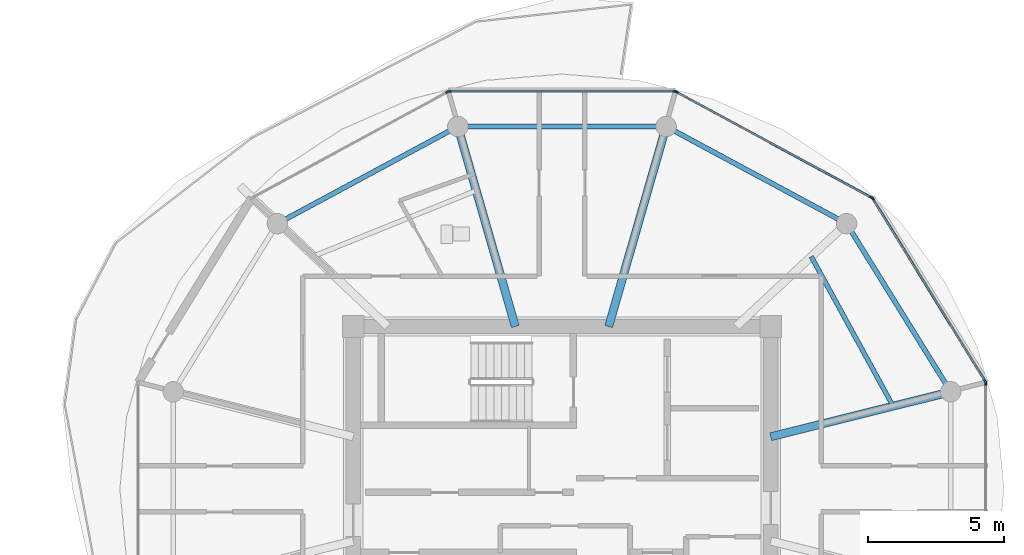
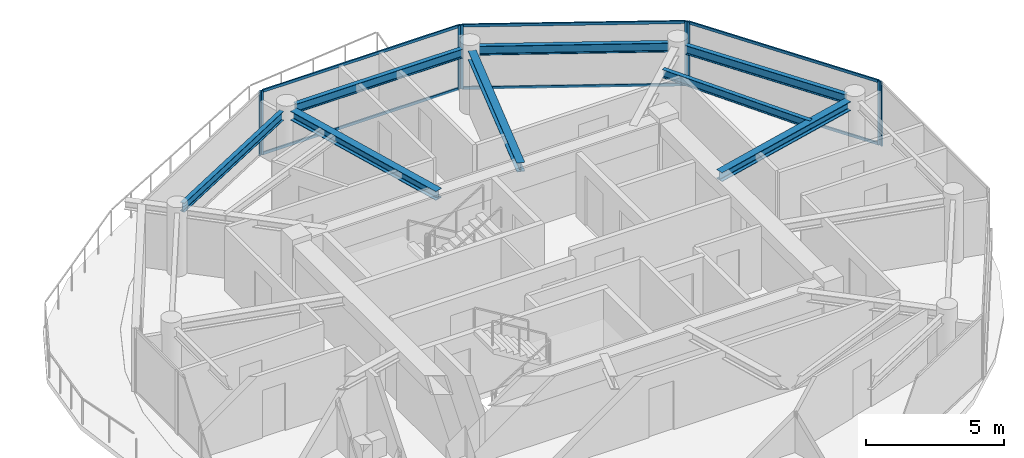
# One storey, part 7 of 19: 14 members, 8 beams, 5 elements without a shape of their own.
"""IFC4 building model written with IfcOpenShell, lengths in metres."""

import ifcopenshell
import ifcopenshell.guid

model = None  # the IFC model being written
_history = None  # IfcOwnerHistory: only IFC2X3 demands one
_inside = {}  # id of a spatial element -> (the spatial element, [elements in it])
_under = {}  # id of a project, library or spatial element -> (it, [spatial elements below it])
_declared = {}  # id of a project -> (the project, [libraries it declares])
_typed = {}  # id of a type object -> (the type object, [elements of that type])
_made_of = {}  # id of a material, layer set ... -> (it, [elements and type objects made of it])


def new_model(schema):
    """Start an empty IFC model of exactly this schema.

    Asked for "IFC4X3", IfcOpenShell would pick the latest addendum, in which some entities
    have other attributes; the version numbers below select the first issue.
    IFC2X3 requires an IfcOwnerHistory on every rooted entity: one is made here for all.
    """
    global model, _history
    if schema == "IFC4X3":
        model = ifcopenshell.file(schema_version=(4, 3, 0, 0))
    else:
        model = ifcopenshell.file(schema=schema)
    _inside.clear()
    _under.clear()
    _declared.clear()
    _typed.clear()
    _made_of.clear()
    _history = None
    if model.schema == "IFC2X3":
        org = make("IfcOrganization", Name="unknown")
        user = make(
            "IfcPersonAndOrganization",
            ThePerson=make("IfcPerson", FamilyName="unknown"),
            TheOrganization=org,
        )
        app = make(
            "IfcApplication",
            ApplicationDeveloper=org,
            Version="unknown",
            ApplicationFullName="unknown",
            ApplicationIdentifier="unknown",
        )
        _history = make(
            "IfcOwnerHistory",
            OwningUser=user,
            OwningApplication=app,
            ChangeAction="ADDED",
            CreationDate=0,
        )
    return model


def make(cls, **values):
    """One entity of the class cls with the attributes given. An attribute that is None is left unset."""
    return model.create_entity(
        cls, **{name: value for name, value in values.items() if value is not None}
    )


def rooted(cls, **values):
    """An entity with a GlobalId (a new one), such as an element, a storey or a relation."""
    return make(cls, GlobalId=ifcopenshell.guid.new(), OwnerHistory=_history, **values)


def si_unit(unit_type, name, prefix=None):
    """IfcSIUnit, for example si_unit("LENGTHUNIT", "METRE", prefix="MILLI")."""
    return make("IfcSIUnit", UnitType=unit_type, Prefix=prefix, Name=name)


def assignment(units):
    """IfcUnitAssignment: the units of a project."""
    return None if units is None else make("IfcUnitAssignment", Units=units)


def point(xyz):
    """IfcCartesianPoint."""
    return None if xyz is None else make("IfcCartesianPoint", Coordinates=xyz)


def direction(xyz):
    """IfcDirection."""
    return None if xyz is None else make("IfcDirection", DirectionRatios=xyz)


def frame(location, z_axis=None, x_axis=None):
    """IfcAxis2Placement3D, a coordinate frame: its origin and axes. An axis left out is left unset."""
    return make(
        "IfcAxis2Placement3D",
        Location=point(location),
        Axis=direction(z_axis),
        RefDirection=direction(x_axis),
    )


def frame_2d(location, x_axis=None):
    """IfcAxis2Placement2D, a coordinate frame in the plane: its origin and x axis."""
    return make(
        "IfcAxis2Placement2D", Location=point(location), RefDirection=direction(x_axis)
    )


def origin():
    """The frame at (0, 0, 0) with its axes left unset."""
    return frame((0.0, 0.0, 0.0))


def origin_2d():
    """The frame at (0, 0) in the plane with its x axis left unset."""
    return frame_2d((0.0, 0.0))


def place(relative_to, where):
    """IfcLocalPlacement: puts the frame where relative to a parent placement (None: the world)."""
    return make(
        "IfcLocalPlacement", PlacementRelTo=relative_to, RelativePlacement=where
    )


def context(
    kind, dimensions, precision=None, world=None, true_north=None, identifier=None
):
    """IfcGeometricRepresentationContext, for example the 3D "Model" context."""
    return make(
        "IfcGeometricRepresentationContext",
        ContextIdentifier=identifier,
        ContextType=kind,
        CoordinateSpaceDimension=dimensions,
        Precision=precision,
        WorldCoordinateSystem=world,
        TrueNorth=true_north,
    )


def subcontext(parent, identifier, kind, view, scale=None):
    """IfcGeometricRepresentationSubContext, for example "Body" below "Model"."""
    return make(
        "IfcGeometricRepresentationSubContext",
        ContextIdentifier=identifier,
        ContextType=kind,
        ParentContext=parent,
        TargetScale=scale,
        TargetView=view,
    )


def project(units=None, contexts=None):
    """IfcProject with its units and contexts."""
    return rooted(
        "IfcProject",
        Name="project",
        RepresentationContexts=contexts,
        UnitsInContext=assignment(units),
    )


def spatial(cls, under=None, at=None, **own):
    """A site, building, storey or space (cls), placed at a placement, below another one or the project."""
    s = rooted(cls, ObjectPlacement=at, **own)
    if under is not None:
        _under.setdefault(under.id(), (under, []))[1].append(s)
    return s


def profile(cls, at=None, kind="AREA", **sizes):
    """A parametric profile (cls). Its sizes go by their IFC names, for example OverallWidth=200.0."""
    return make(cls, ProfileType=kind, Position=at, **sizes)


def rectangle(**sizes):
    """IfcRectangleProfileDef."""
    return profile("IfcRectangleProfileDef", **sizes)


def i_section(**sizes):
    """IfcIShapeProfileDef."""
    return profile("IfcIShapeProfileDef", **sizes)


def extrude(swept, where, along, depth):
    """IfcExtrudedAreaSolid: the profile swept, set in the frame where, extruded along a direction by depth."""
    return make(
        "IfcExtrudedAreaSolid",
        SweptArea=swept,
        Position=where,
        ExtrudedDirection=direction(along),
        Depth=depth,
    )


def shape(context_of_items, identifier, shape_type, items):
    """IfcShapeRepresentation: the items that make up one representation, for example the "Body"."""
    return make(
        "IfcShapeRepresentation",
        ContextOfItems=context_of_items,
        RepresentationIdentifier=identifier,
        RepresentationType=shape_type,
        Items=items,
    )


def source(mapping_origin, context_of_items, identifier, shape_type, items):
    """IfcRepresentationMap: a shape defined once, which mapped items show again and again."""
    return make(
        "IfcRepresentationMap",
        MappingOrigin=mapping_origin,
        MappedRepresentation=shape(context_of_items, identifier, shape_type, items),
    )


def transform(
    local_origin,
    x_axis=None,
    y_axis=None,
    z_axis=None,
    scale=None,
    scale2=None,
    scale3=None,
    uniform=True,
):
    """IfcCartesianTransformationOperator3D, or its non-uniform kind. x_axis, y_axis, z_axis: its Axis1, 2, 3."""
    if uniform:
        return make(
            "IfcCartesianTransformationOperator3D",
            Axis1=direction(x_axis),
            Axis2=direction(y_axis),
            LocalOrigin=point(local_origin),
            Scale=scale,
            Axis3=direction(z_axis),
        )
    return make(
        "IfcCartesianTransformationOperator3DnonUniform",
        Axis1=direction(x_axis),
        Axis2=direction(y_axis),
        LocalOrigin=point(local_origin),
        Scale=scale,
        Axis3=direction(z_axis),
        Scale2=scale2,
        Scale3=scale3,
    )


def mapped(mapping_source, mapping_target):
    """IfcMappedItem: shows the shape of a source again, moved by a transform."""
    return make(
        "IfcMappedItem", MappingSource=mapping_source, MappingTarget=mapping_target
    )


def material(Name=None, Category=None):
    """IfcMaterial."""
    return make("IfcMaterial", Name=Name, Category=Category)


def layer(
    of_material, thickness, ventilated=None, Name=None, Category=None, Priority=None
):
    """IfcMaterialLayer: one layer of a wall or slab, of a material (None: an air gap)."""
    return make(
        "IfcMaterialLayer",
        Material=of_material,
        LayerThickness=thickness,
        IsVentilated=ventilated,
        Name=Name,
        Category=Category,
        Priority=Priority,
    )


def layer_set(layers, Name=None):
    """IfcMaterialLayerSet."""
    return make("IfcMaterialLayerSet", MaterialLayers=layers, LayerSetName=Name)


def material_profile(
    of_material, cross_section, Name=None, Category=None, Priority=None
):
    """IfcMaterialProfile: a cross section and its material."""
    return make(
        "IfcMaterialProfile",
        Name=Name,
        Material=of_material,
        Profile=cross_section,
        Priority=Priority,
        Category=Category,
    )


def profile_set(profiles, Name=None, composite=None):
    """IfcMaterialProfileSet."""
    return make(
        "IfcMaterialProfileSet",
        Name=Name,
        MaterialProfiles=profiles,
        CompositeProfile=composite,
    )


def made_of(thing, what):
    """Note that an element or type object is made of a material, layer set ...; save() writes the relation."""
    if what is not None:
        _made_of.setdefault(what.id(), (what, []))[1].append(thing)
    return thing


def type_object(cls, material=None, **own):
    """A type object (cls), such as IfcWallType, which elements share."""
    return made_of(rooted(cls, **own), material)


def type_shapes(of_type, sources):
    """Give a type object the sources (RepresentationMaps) that its elements show as mapped items."""
    of_type.RepresentationMaps = sources


def element(
    cls,
    number,
    at=None,
    inside=None,
    cuts=None,
    type_object=None,
    material=None,
    context=None,
    identifier="Body",
    shape_type=None,
    held_by="IfcProductDefinitionShape",
    body=None,
    shapes=None,
    **own,
):
    """One element of the class cls, such as IfcWall. Its Tag is "e" and its number.

    at: its placement. inside: the storey or other place that contains it. cuts: it is an
    opening in that element (IfcRelVoidsElement). A single representation is given by context,
    identifier, shape_type and body (its items); several are given by shapes. held_by: the class
    of the entity that holds the representations. save() writes the other relations.
    """
    e = rooted(cls, Tag="e%d" % number, ObjectPlacement=at, **own)
    if body is not None:
        shapes = [shape(context, identifier, shape_type, body)]
    if shapes is not None:
        e.Representation = make(held_by, Representations=shapes)
    if inside is not None:
        _inside.setdefault(inside.id(), (inside, []))[1].append(e)
    if cuts is not None:
        rooted(
            "IfcRelVoidsElement", RelatingBuildingElement=cuts, RelatedOpeningElement=e
        )
    if type_object is not None:
        _typed.setdefault(type_object.id(), (type_object, []))[1].append(e)
    return made_of(e, material)


def aggregate(whole, parts):
    """IfcRelAggregates: a whole, such as a stair, and the parts it consists of."""
    return rooted("IfcRelAggregates", RelatingObject=whole, RelatedObjects=parts)


def save(model, path):
    """Write the relations noted so far, then the file.

    IfcRelAggregates (storeys below a building ...), IfcRelContainedInSpatialStructure (elements
    in a storey), IfcRelDefinesByType, IfcRelAssociatesMaterial and IfcRelDeclares: one each for
    every whole, place, type object, material and project.
    """
    for whole, parts in _under.values():
        aggregate(whole, parts)
    for where, things in _inside.values():
        rooted(
            "IfcRelContainedInSpatialStructure",
            RelatedElements=things,
            RelatingStructure=where,
        )
    for kind, things in _typed.values():
        rooted("IfcRelDefinesByType", RelatedObjects=things, RelatingType=kind)
    for what, things in _made_of.values():
        rooted("IfcRelAssociatesMaterial", RelatedObjects=things, RelatingMaterial=what)
    for by, libraries in _declared.values():
        rooted("IfcRelDeclares", RelatingContext=by, RelatedDefinitions=libraries)
    model.write(path)


model = new_model("IFC4")

# Units and contexts
model_context = context("Model", 3, precision=1e-05, world=origin(), true_north=direction((0.0, 1.0)))
body_context = subcontext(model_context, "Body", "Model", "MODEL_VIEW")
ifc_project = project(units=[si_unit("LENGTHUNIT", "METRE"), si_unit("AREAUNIT", "SQUARE_METRE"), si_unit("VOLUMEUNIT", "CUBIC_METRE"), si_unit("PLANEANGLEUNIT", "RADIAN"), si_unit("MASSUNIT", "GRAM", prefix="KILO")], contexts=[model_context])

# Site, building, storey
site_placement = place(None, origin())
site = spatial("IfcSite", under=ifc_project, at=site_placement, CompositionType="ELEMENT")
building_placement = place(site_placement, origin())
building = spatial("IfcBuilding", under=site, at=building_placement, Name="Norrkilde Senior Care Towers", CompositionType="ELEMENT")
storey_placement = place(building_placement, frame((0.0, 0.0, 193.699951171875)))
storey = spatial("IfcBuildingStorey", under=building, at=storey_placement, Name="L60", CompositionType="ELEMENT", Elevation=193.699951171875)

# Beams
ifc_material_1 = material(Name="Steel S355", Category="steel")
ifc_material_profile_1 = material_profile(ifc_material_1, i_section(OverallWidth=0.179931640625, OverallDepth=0.39990234375, WebThickness=0.008544921875, FlangeThickness=0.013427734375, FilletRadius=0.02099609375, at=origin_2d()), Name="IPE 400")
ifc_profile_set_1 = profile_set([ifc_material_profile_1], Name="Steel S355")
beam_type_1 = type_object("IfcBeamType", Name="Perimeter Ring Spandrel Z4 IPE400", PredefinedType="SPANDREL", material=ifc_profile_set_1)
shared_shape_1 = source(origin(), body_context, "Body", "SweptSolid", [
    extrude(i_section(OverallWidth=0.179931640625, OverallDepth=0.39990234375, WebThickness=0.008544921875, FlangeThickness=0.013427734375, FilletRadius=0.02099609375, at=origin_2d()), origin(), (0.0, 0.0, 1.0), 6.58056640625),
])
beam_1_placement = place(storey_placement, frame((42.071044921875, 3.843505859375, 2.610107421875), z_axis=(-0.526529583789, 0.850156807533, 0.0), x_axis=(-0.850156807533, -0.526529583789, 0.0)))
element("IfcBeam", 1, at=beam_1_placement, inside=storey, type_object=beam_type_1, Name="L60 Drum E Perimeter Spandrel 01", PredefinedType="SPANDREL", context=body_context, shape_type="MappedRepresentation", body=[
    mapped(shared_shape_1, transform((0.0, 0.0, 0.0), x_axis=(1.0, 0.0, 0.0), y_axis=(0.0, 1.0, 0.0), z_axis=(0.0, 0.0, 1.0), scale=1.0)),
])
ifc_material_profile_2 = material_profile(ifc_material_1, i_section(OverallWidth=0.300048828125, OverallDepth=0.39990234375, WebThickness=0.013427734375, FlangeThickness=0.02392578125, FilletRadius=0.027099609375, at=origin_2d()), Name="HEB 400")
ifc_profile_set_2 = profile_set([ifc_material_profile_2], Name="Steel S355")
beam_type_2 = type_object("IfcBeamType", Name="Radial Floor Beam Z4 HEB400", PredefinedType="BEAM", material=ifc_profile_set_2)
shared_shape_2 = source(origin(), body_context, "Body", "SweptSolid", [
    extrude(i_section(OverallWidth=0.300048828125, OverallDepth=0.39990234375, WebThickness=0.013427734375, FlangeThickness=0.02392578125, FilletRadius=0.027099609375, at=origin_2d()), origin(), (0.0, 0.0, 1.0), 6.465087890625),
])
beam_2_placement = place(storey_placement, frame((35.64990234375, 1.910888671875, 2.610107421875), z_axis=(0.970195788563, 0.242322371758, 0.0), x_axis=(-0.242322371758, 0.970195788563, 0.0)))
element("IfcBeam", 2, at=beam_2_placement, inside=storey, type_object=beam_type_2, Name="L60 Drum E Radial Floor Beam 01", PredefinedType="BEAM", context=body_context, shape_type="MappedRepresentation", body=[
    mapped(shared_shape_2, transform((0.0, 0.0, 0.0), x_axis=(1.0, 0.0, 0.0), y_axis=(0.0, 1.0, 0.0), z_axis=(0.0, 0.0, 1.0), scale=1.0)),
])
shared_shape_3 = source(origin(), body_context, "Body", "SweptSolid", [
    extrude(i_section(OverallWidth=0.179931640625, OverallDepth=0.39990234375, WebThickness=0.008544921875, FlangeThickness=0.013427734375, FilletRadius=0.02099609375, at=origin_2d()), origin(), (0.0, 0.0, 1.0), 6.839111328125),
])
for number, where, z_axis, x_axis, name in (
    (3, (38.134765625, 9.881591796875, 2.610107421875), (-0.880563930732, 0.473927382511, 0.0), (-0.473927382511, -0.880563930732, 0.0), "L60 Drum E Perimeter Spandrel 02"),
    (4, (23.887451171875, 13.122802734375, 2.610107421875), (-0.880563930732, -0.473927382511, 0.0), (0.473927382511, -0.880563930732, 0.0), "L60 Drum E Perimeter Spandrel 04"),
):
    element("IfcBeam", number, at=place(storey_placement, frame(where, z_axis=z_axis, x_axis=x_axis)), inside=storey, type_object=beam_type_1, Name=name, PredefinedType="SPANDREL", context=body_context, shape_type="MappedRepresentation", body=[
        mapped(shared_shape_3, transform((0.0, 0.0, 0.0), x_axis=(1.0, 0.0, 0.0), y_axis=(0.0, 1.0, 0.0), z_axis=(0.0, 0.0, 1.0), scale=1.0)),
    ])
shared_shape_4 = source(origin(), body_context, "Body", "SweptSolid", [
    extrude(i_section(OverallWidth=0.179931640625, OverallDepth=0.39990234375, WebThickness=0.008544921875, FlangeThickness=0.013427734375, FilletRadius=0.02099609375, at=origin_2d()), origin(), (0.0, 0.0, 1.0), 6.96533203125),
])
type_shapes(beam_type_1, [shared_shape_1, shared_shape_3, shared_shape_4])
beam_3_placement = place(storey_placement, frame((31.482666015625, 13.281494140625, 2.610107421875), z_axis=(-1.0, 0.0, 0.0), x_axis=(0.0, -1.0, 0.0)))
element("IfcBeam", 5, at=beam_3_placement, inside=storey, type_object=beam_type_1, Name="L60 Drum E Perimeter Spandrel 03", PredefinedType="SPANDREL", context=body_context, shape_type="MappedRepresentation", body=[
    mapped(shared_shape_4, transform((0.0, 0.0, 0.0), x_axis=(1.0, 0.0, 0.0), y_axis=(0.0, 1.0, 0.0), z_axis=(0.0, 0.0, 1.0), scale=1.0)),
])
shared_shape_5 = source(origin(), body_context, "Body", "SweptSolid", [
    extrude(i_section(OverallWidth=0.300048828125, OverallDepth=0.39990234375, WebThickness=0.013427734375, FlangeThickness=0.02392578125, FilletRadius=0.027099609375, at=origin_2d()), origin(), (0.0, 0.0, 1.0), 7.29345703125),
])
type_shapes(beam_type_2, [shared_shape_2, shared_shape_5])
for number, where, z_axis, x_axis, name in (
    (6, (29.710205078125, 5.949951171875, 2.610107421875), (0.276263751906, 0.961081858836, 0.0), (-0.961081858836, 0.276263751906, 0.0), "L60 Drum E Radial Floor Beam 03"),
    (7, (26.289794921875, 5.949951171875, 2.610107421875), (-0.276263751906, 0.961081858836, 0.0), (-0.961081858836, -0.276263751906, 0.0), "L60 Drum E Radial Floor Beam 04"),
):
    element("IfcBeam", number, at=place(storey_placement, frame(where, z_axis=z_axis, x_axis=x_axis)), inside=storey, type_object=beam_type_2, Name=name, PredefinedType="BEAM", context=body_context, shape_type="MappedRepresentation", body=[
        mapped(shared_shape_5, transform((0.0, 0.0, 0.0), x_axis=(1.0, 0.0, 0.0), y_axis=(0.0, 1.0, 0.0), z_axis=(0.0, 0.0, 1.0), scale=1.0)),
    ])
ifc_material_profile_3 = material_profile(ifc_material_1, i_section(OverallWidth=0.169921875, OverallDepth=0.360107421875, WebThickness=0.008056640625, FlangeThickness=0.0126953125, FilletRadius=0.01806640625, at=origin_2d()), Name="IPE 360")
ifc_profile_set_3 = profile_set([ifc_material_profile_3], Name="Steel S355")
beam_type_3 = type_object("IfcBeamType", Name="Secondary Floor Joist IPE360", PredefinedType="JOIST", material=ifc_profile_set_3)
shared_shape_6 = source(origin(), body_context, "Body", "SweptSolid", [
    extrude(i_section(OverallWidth=0.169921875, OverallDepth=0.360107421875, WebThickness=0.008056640625, FlangeThickness=0.0126953125, FilletRadius=0.01806640625, at=origin_2d()), origin(), (0.0, 0.0, 1.0), 6.25146484375),
])
type_shapes(beam_type_3, [shared_shape_6])
beam_4_placement = place(storey_placement, frame((40.13623046875, 3.031494140625, 2.630126953125), z_axis=(-0.480115752653, 0.877205143655, 0.0), x_axis=(-0.877205143655, -0.480115752653, 0.0)))
element("IfcBeam", 8, at=beam_4_placement, inside=storey, type_object=beam_type_3, Name="L60 Drum E Secondary Floor Joist 1", PredefinedType="JOIST", context=body_context, shape_type="MappedRepresentation", body=[
    mapped(shared_shape_6, transform((0.0, 0.0, 0.0), x_axis=(1.0, 0.0, 0.0), y_axis=(0.0, 1.0, 0.0), z_axis=(0.0, 0.0, 1.0), scale=1.0)),
])

# Curtain wall, members
ifc_material_2 = material(Name="Triple Low-E Insulated Glazing", Category="glass")
ifc_layer = layer(ifc_material_2, 0.18505859375)
ifc_layer_set = layer_set([ifc_layer], Name="Triple Low-E Insulated Glazing")
curtain_wall_type = type_object("IfcCurtainWallType", Name="CW6 Zone 4 Crown Pavilion Curtain Wall", PredefinedType="NOTDEFINED", material=ifc_layer_set)
curtain_wall_1_placement = place(storey_placement, origin())
curtain_wall_1 = element("IfcCurtainWall", 9, at=curtain_wall_1_placement, inside=storey, type_object=curtain_wall_type, Name="L60 Drum E Curtain Wall 00", PredefinedType="NOTDEFINED")
ifc_material_3 = material(Name="Anodised Aluminium", Category="aluminium")
ifc_material_profile_4 = material_profile(ifc_material_3, rectangle(XDim=0.06494140625, YDim=0.14990234375, at=origin_2d()), Name="ALU MULL 65x150")
ifc_profile_set_4 = profile_set([ifc_material_profile_4], Name="Anodised Aluminium")
member_type_1 = type_object("IfcMemberType", Name="Curtain Wall Mullion Z3-Z4 65x150", PredefinedType="MULLION", material=ifc_profile_set_4)
shared_shape_7 = source(origin(), body_context, "Body", "SweptSolid", [
    extrude(rectangle(XDim=0.06494140625, YDim=0.14990234375, at=origin_2d()), origin(), (0.0, 0.0, 1.0), 2.81005859375),
])
type_shapes(member_type_1, [shared_shape_7])
member_1_placement = place(storey_placement, frame((39.38720703125, 10.635498046875, 0.0), z_axis=(0.0, 0.0, 1.0), x_axis=(0.851562727283, 0.524252726748, 0.0)))
member_1 = element("IfcMember", 10, at=member_1_placement, type_object=member_type_1, Name="CW-6 mullion 1", PredefinedType="MULLION", context=body_context, shape_type="MappedRepresentation", body=[
    mapped(shared_shape_7, transform((0.0, 0.0, 0.0), x_axis=(1.0, 0.0, 0.0), y_axis=(0.0, 1.0, 0.0), z_axis=(0.0, 0.0, 1.0), scale=1.0)),
])
member_2_placement = place(storey_placement, frame((43.51513671875, 3.9306640625, 0.0), z_axis=(0.0, 0.0, 1.0), x_axis=(0.851562727283, 0.524252726748, 0.0)))
member_2 = element("IfcMember", 11, at=member_2_placement, type_object=member_type_1, Name="CW-6 mullion 2", PredefinedType="MULLION", context=body_context, shape_type="MappedRepresentation", body=[
    mapped(shared_shape_7, transform((0.0, 0.0, 0.0), x_axis=(1.0, 0.0, 0.0), y_axis=(0.0, 1.0, 0.0), z_axis=(0.0, 0.0, 1.0), scale=1.0)),
])

curtain_wall_2_placement = place(storey_placement, origin())
curtain_wall_2 = element("IfcCurtainWall", 12, at=curtain_wall_2_placement, inside=storey, type_object=curtain_wall_type, Name="L60 Drum E Curtain Wall 01", PredefinedType="NOTDEFINED")
member_3_placement = place(storey_placement, frame((32.1904296875, 14.55078125, 0.0), z_axis=(0.0, 0.0, 1.0), x_axis=(0.476132676136, 0.879373455772, 0.0)))
member_3 = element("IfcMember", 13, at=member_3_placement, type_object=member_type_1, Name="CW-6 mullion 1", PredefinedType="MULLION", context=body_context, shape_type="MappedRepresentation", body=[
    mapped(shared_shape_7, transform((0.0, 0.0, 0.0), x_axis=(1.0, 0.0, 0.0), y_axis=(0.0, 1.0, 0.0), z_axis=(0.0, 0.0, 1.0), scale=1.0)),
])
member_4_placement = place(storey_placement, frame((39.341796875, 10.6787109375, 0.0), z_axis=(0.0, 0.0, 1.0), x_axis=(0.476132676136, 0.879373455772, 0.0)))
member_4 = element("IfcMember", 14, at=member_4_placement, type_object=member_type_1, Name="CW-6 mullion 2", PredefinedType="MULLION", context=body_context, shape_type="MappedRepresentation", body=[
    mapped(shared_shape_7, transform((0.0, 0.0, 0.0), x_axis=(1.0, 0.0, 0.0), y_axis=(0.0, 1.0, 0.0), z_axis=(0.0, 0.0, 1.0), scale=1.0)),
])

curtain_wall_3_placement = place(storey_placement, origin())
curtain_wall_3 = element("IfcCurtainWall", 15, at=curtain_wall_3_placement, inside=storey, type_object=curtain_wall_type, Name="L60 Drum E Curtain Wall 02", PredefinedType="NOTDEFINED")
member_5_placement = place(storey_placement, frame((23.87060546875, 14.566162109375, 0.0), z_axis=(0.0, 0.0, 1.0), x_axis=(0.0, 1.0, 0.0)))
member_5 = element("IfcMember", 16, at=member_5_placement, type_object=member_type_1, Name="CW-6 mullion 1", PredefinedType="MULLION", context=body_context, shape_type="MappedRepresentation", body=[
    mapped(shared_shape_7, transform((0.0, 0.0, 0.0), x_axis=(1.0, 0.0, 0.0), y_axis=(0.0, 1.0, 0.0), z_axis=(0.0, 0.0, 1.0), scale=1.0)),
])
member_6_placement = place(storey_placement, frame((32.12939453125, 14.566162109375, 0.0), z_axis=(0.0, 0.0, 1.0), x_axis=(0.0, 1.0, 0.0)))
member_6 = element("IfcMember", 17, at=member_6_placement, type_object=member_type_1, Name="CW-6 mullion 2", PredefinedType="MULLION", context=body_context, shape_type="MappedRepresentation", body=[
    mapped(shared_shape_7, transform((0.0, 0.0, 0.0), x_axis=(1.0, 0.0, 0.0), y_axis=(0.0, 1.0, 0.0), z_axis=(0.0, 0.0, 1.0), scale=1.0)),
])

# Curtain wall, member
curtain_wall_4_placement = place(storey_placement, origin())
curtain_wall_4 = element("IfcCurtainWall", 18, at=curtain_wall_4_placement, inside=storey, type_object=curtain_wall_type, Name="L60 Drum E Curtain Wall 03", PredefinedType="NOTDEFINED")
member_7_placement = place(storey_placement, frame((23.8095703125, 14.55078125, 0.0), z_axis=(0.0, 0.0, 1.0), x_axis=(-0.476132676136, 0.879373455772, 0.0)))
member_7 = element("IfcMember", 19, at=member_7_placement, type_object=member_type_1, Name="CW-6 mullion 2", PredefinedType="MULLION", context=body_context, shape_type="MappedRepresentation", body=[
    mapped(shared_shape_7, transform((0.0, 0.0, 0.0), x_axis=(1.0, 0.0, 0.0), y_axis=(0.0, 1.0, 0.0), z_axis=(0.0, 0.0, 1.0), scale=1.0)),
])
aggregate(curtain_wall_4, [member_7])

curtain_wall_5_placement = place(storey_placement, origin())
curtain_wall_5 = element("IfcCurtainWall", 20, at=curtain_wall_5_placement, inside=storey, type_object=curtain_wall_type, Name="L60 Drum E Curtain Wall 11", PredefinedType="NOTDEFINED")
member_8_placement = place(storey_placement, frame((43.531982421875, 3.87060546875, 0.0), z_axis=(0.0, 0.0, 1.0), x_axis=(1.0, 0.0, 0.0)))
member_8 = element("IfcMember", 21, at=member_8_placement, type_object=member_type_1, Name="CW-6 mullion 1", PredefinedType="MULLION", context=body_context, shape_type="MappedRepresentation", body=[
    mapped(shared_shape_7, transform((0.0, 0.0, 0.0), x_axis=(1.0, 0.0, 0.0), y_axis=(0.0, 1.0, 0.0), z_axis=(0.0, 0.0, 1.0), scale=1.0)),
])
aggregate(curtain_wall_5, [member_8])

# Member
ifc_material_profile_5 = material_profile(ifc_material_3, rectangle(XDim=0.06005859375, YDim=0.1201171875, at=origin_2d()), Name="ALU TRAN 60x120")
ifc_profile_set_5 = profile_set([ifc_material_profile_5], Name="Anodised Aluminium")
member_type_2 = type_object("IfcMemberType", Name="Curtain Wall Transom Typical 60x120", PredefinedType="USERDEFINED", material=ifc_profile_set_5)
shared_shape_8 = source(origin(), body_context, "Body", "SweptSolid", [
    extrude(rectangle(XDim=0.06005859375, YDim=0.1201171875, at=origin_2d()), origin(), (0.0, 0.0, 1.0), 7.808837890625),
])
member_9_placement = place(storey_placement, frame((39.404296875, 10.60791015625, 0.030029296875), z_axis=(0.524250924101, -0.851563837055, 0.0), x_axis=(0.851563837055, 0.524250924101, 0.0)))
member_9 = element("IfcMember", 22, at=member_9_placement, type_object=member_type_2, Name="CW-6 transom 1.1", ObjectType="TRANSOM", PredefinedType="USERDEFINED", context=body_context, shape_type="MappedRepresentation", body=[
    mapped(shared_shape_8, transform((0.0, 0.0, 0.0), x_axis=(1.0, 0.0, 0.0), y_axis=(0.0, 1.0, 0.0), z_axis=(0.0, 0.0, 1.0), scale=1.0)),
])

member_10_placement = place(storey_placement, frame((39.404296875, 10.60791015625, 2.780029296875), z_axis=(0.524250924101, -0.851563837055, 0.0), x_axis=(0.851563837055, 0.524250924101, 0.0)))
member_10 = element("IfcMember", 23, at=member_10_placement, type_object=member_type_2, Name="CW-6 transom 1.2", ObjectType="TRANSOM", PredefinedType="USERDEFINED", context=body_context, shape_type="MappedRepresentation", body=[
    mapped(shared_shape_8, transform((0.0, 0.0, 0.0), x_axis=(1.0, 0.0, 0.0), y_axis=(0.0, 1.0, 0.0), z_axis=(0.0, 0.0, 1.0), scale=1.0)),
])

aggregate(curtain_wall_1, [member_1, member_2, member_9, member_10])

shared_shape_9 = source(origin(), body_context, "Body", "SweptSolid", [
    extrude(rectangle(XDim=0.06005859375, YDim=0.1201171875, at=origin_2d()), origin(), (0.0, 0.0, 1.0), 8.19384765625),
])
member_11_placement = place(storey_placement, frame((23.903076171875, 14.566162109375, 0.030029296875), z_axis=(1.0, 0.0, 0.0), x_axis=(0.0, 1.0, 0.0)))
member_11 = element("IfcMember", 24, at=member_11_placement, type_object=member_type_2, Name="CW-6 transom 1.1", ObjectType="TRANSOM", PredefinedType="USERDEFINED", context=body_context, shape_type="MappedRepresentation", body=[
    mapped(shared_shape_9, transform((0.0, 0.0, 0.0), x_axis=(1.0, 0.0, 0.0), y_axis=(0.0, 1.0, 0.0), z_axis=(0.0, 0.0, 1.0), scale=1.0)),
])

member_12_placement = place(storey_placement, frame((23.903076171875, 14.566162109375, 2.780029296875), z_axis=(1.0, 0.0, 0.0), x_axis=(0.0, 1.0, 0.0)))
member_12 = element("IfcMember", 25, at=member_12_placement, type_object=member_type_2, Name="CW-6 transom 1.2", ObjectType="TRANSOM", PredefinedType="USERDEFINED", context=body_context, shape_type="MappedRepresentation", body=[
    mapped(shared_shape_9, transform((0.0, 0.0, 0.0), x_axis=(1.0, 0.0, 0.0), y_axis=(0.0, 1.0, 0.0), z_axis=(0.0, 0.0, 1.0), scale=1.0)),
])

aggregate(curtain_wall_3, [member_5, member_6, member_11, member_12])

shared_shape_10 = source(origin(), body_context, "Body", "SweptSolid", [
    extrude(rectangle(XDim=0.06005859375, YDim=0.1201171875, at=origin_2d()), origin(), (0.0, 0.0, 1.0), 8.0673828125),
])
type_shapes(member_type_2, [shared_shape_8, shared_shape_9, shared_shape_10])
member_13_placement = place(storey_placement, frame((32.218994140625, 14.53515625, 0.030029296875), z_axis=(0.87937750072, -0.476125205411, 0.0), x_axis=(0.476125205411, 0.87937750072, 0.0)))
member_13 = element("IfcMember", 26, at=member_13_placement, type_object=member_type_2, Name="CW-6 transom 1.1", ObjectType="TRANSOM", PredefinedType="USERDEFINED", context=body_context, shape_type="MappedRepresentation", body=[
    mapped(shared_shape_10, transform((0.0, 0.0, 0.0), x_axis=(1.0, 0.0, 0.0), y_axis=(0.0, 1.0, 0.0), z_axis=(0.0, 0.0, 1.0), scale=1.0)),
])

member_14_placement = place(storey_placement, frame((32.218994140625, 14.53515625, 2.780029296875), z_axis=(0.87937750072, -0.476125205411, 0.0), x_axis=(0.476125205411, 0.87937750072, 0.0)))
member_14 = element("IfcMember", 27, at=member_14_placement, type_object=member_type_2, Name="CW-6 transom 1.2", ObjectType="TRANSOM", PredefinedType="USERDEFINED", context=body_context, shape_type="MappedRepresentation", body=[
    mapped(shared_shape_10, transform((0.0, 0.0, 0.0), x_axis=(1.0, 0.0, 0.0), y_axis=(0.0, 1.0, 0.0), z_axis=(0.0, 0.0, 1.0), scale=1.0)),
])

aggregate(curtain_wall_2, [member_3, member_4, member_13, member_14])

save(model, "model.ifc")
